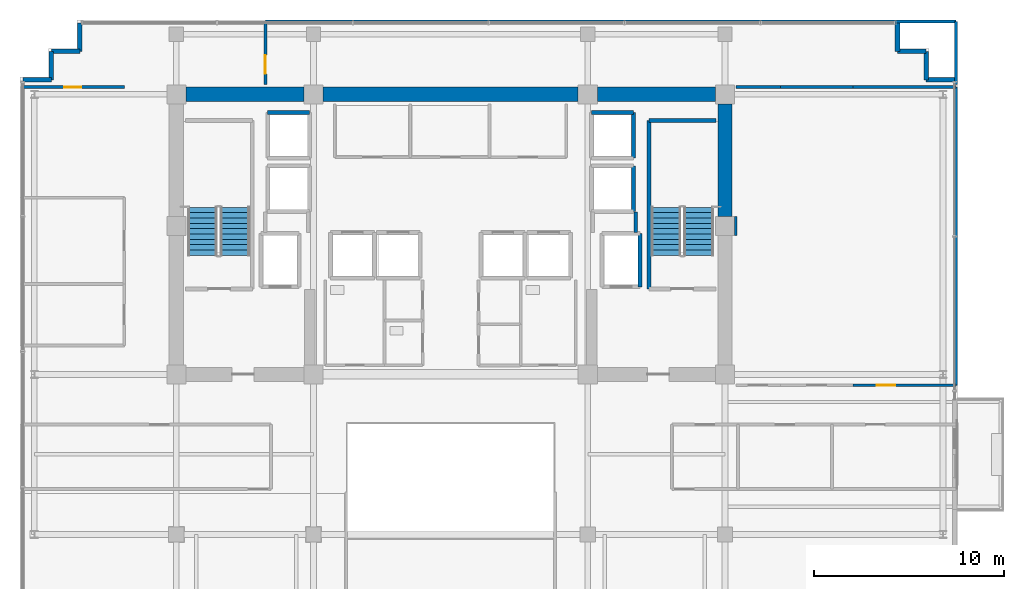
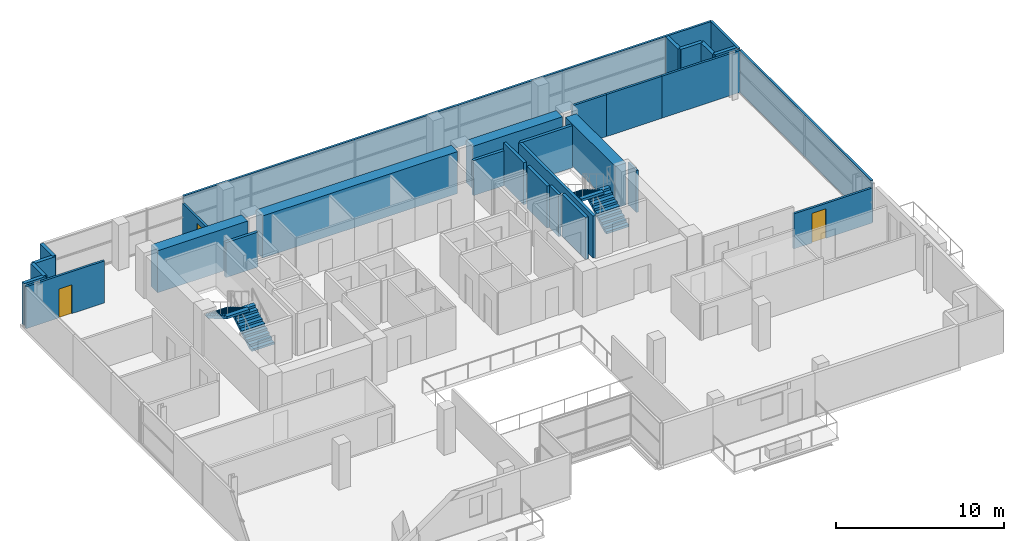
# One storey, part 18 of 22: 30 walls, 4 stair flights, 3 doors, 3 openings, 2 elements without a shape of their own.
"""IFC4 building model written with IfcOpenShell, lengths in metres."""

import ifcopenshell
import ifcopenshell.guid

model = None  # the IFC model being written
_history = None  # IfcOwnerHistory: only IFC2X3 demands one
_inside = {}  # id of a spatial element -> (the spatial element, [elements in it])
_under = {}  # id of a project, library or spatial element -> (it, [spatial elements below it])
_declared = {}  # id of a project -> (the project, [libraries it declares])
_typed = {}  # id of a type object -> (the type object, [elements of that type])
_made_of = {}  # id of a material, layer set ... -> (it, [elements and type objects made of it])


def new_model(schema):
    """Start an empty IFC model of exactly this schema.

    Asked for "IFC4X3", IfcOpenShell would pick the latest addendum, in which some entities
    have other attributes; the version numbers below select the first issue.
    IFC2X3 requires an IfcOwnerHistory on every rooted entity: one is made here for all.
    """
    global model, _history
    if schema == "IFC4X3":
        model = ifcopenshell.file(schema_version=(4, 3, 0, 0))
    else:
        model = ifcopenshell.file(schema=schema)
    _inside.clear()
    _under.clear()
    _declared.clear()
    _typed.clear()
    _made_of.clear()
    _history = None
    if model.schema == "IFC2X3":
        org = make("IfcOrganization", Name="unknown")
        user = make(
            "IfcPersonAndOrganization",
            ThePerson=make("IfcPerson", FamilyName="unknown"),
            TheOrganization=org,
        )
        app = make(
            "IfcApplication",
            ApplicationDeveloper=org,
            Version="unknown",
            ApplicationFullName="unknown",
            ApplicationIdentifier="unknown",
        )
        _history = make(
            "IfcOwnerHistory",
            OwningUser=user,
            OwningApplication=app,
            ChangeAction="ADDED",
            CreationDate=0,
        )
    return model


def make(cls, **values):
    """One entity of the class cls with the attributes given. An attribute that is None is left unset."""
    return model.create_entity(
        cls, **{name: value for name, value in values.items() if value is not None}
    )


def rooted(cls, **values):
    """An entity with a GlobalId (a new one), such as an element, a storey or a relation."""
    return make(cls, GlobalId=ifcopenshell.guid.new(), OwnerHistory=_history, **values)


def si_unit(unit_type, name, prefix=None):
    """IfcSIUnit, for example si_unit("LENGTHUNIT", "METRE", prefix="MILLI")."""
    return make("IfcSIUnit", UnitType=unit_type, Prefix=prefix, Name=name)


def assignment(units):
    """IfcUnitAssignment: the units of a project."""
    return None if units is None else make("IfcUnitAssignment", Units=units)


def point(xyz):
    """IfcCartesianPoint."""
    return None if xyz is None else make("IfcCartesianPoint", Coordinates=xyz)


def direction(xyz):
    """IfcDirection."""
    return None if xyz is None else make("IfcDirection", DirectionRatios=xyz)


def frame(location, z_axis=None, x_axis=None):
    """IfcAxis2Placement3D, a coordinate frame: its origin and axes. An axis left out is left unset."""
    return make(
        "IfcAxis2Placement3D",
        Location=point(location),
        Axis=direction(z_axis),
        RefDirection=direction(x_axis),
    )


def frame_2d(location, x_axis=None):
    """IfcAxis2Placement2D, a coordinate frame in the plane: its origin and x axis."""
    return make(
        "IfcAxis2Placement2D", Location=point(location), RefDirection=direction(x_axis)
    )


def origin():
    """The frame at (0, 0, 0) with its axes left unset."""
    return frame((0.0, 0.0, 0.0))


def place(relative_to, where):
    """IfcLocalPlacement: puts the frame where relative to a parent placement (None: the world)."""
    return make(
        "IfcLocalPlacement", PlacementRelTo=relative_to, RelativePlacement=where
    )


def context(
    kind, dimensions, precision=None, world=None, true_north=None, identifier=None
):
    """IfcGeometricRepresentationContext, for example the 3D "Model" context."""
    return make(
        "IfcGeometricRepresentationContext",
        ContextIdentifier=identifier,
        ContextType=kind,
        CoordinateSpaceDimension=dimensions,
        Precision=precision,
        WorldCoordinateSystem=world,
        TrueNorth=true_north,
    )


def subcontext(parent, identifier, kind, view, scale=None):
    """IfcGeometricRepresentationSubContext, for example "Body" below "Model"."""
    return make(
        "IfcGeometricRepresentationSubContext",
        ContextIdentifier=identifier,
        ContextType=kind,
        ParentContext=parent,
        TargetScale=scale,
        TargetView=view,
    )


def project(units=None, contexts=None):
    """IfcProject with its units and contexts."""
    return rooted(
        "IfcProject",
        Name="project",
        RepresentationContexts=contexts,
        UnitsInContext=assignment(units),
    )


def spatial(cls, under=None, at=None, **own):
    """A site, building, storey or space (cls), placed at a placement, below another one or the project."""
    s = rooted(cls, ObjectPlacement=at, **own)
    if under is not None:
        _under.setdefault(under.id(), (under, []))[1].append(s)
    return s


def polyline(points):
    """IfcPolyline through the points."""
    return make("IfcPolyline", Points=[point(p) for p in points])


def profile(cls, at=None, kind="AREA", **sizes):
    """A parametric profile (cls). Its sizes go by their IFC names, for example OverallWidth=200.0."""
    return make(cls, ProfileType=kind, Position=at, **sizes)


def rectangle(**sizes):
    """IfcRectangleProfileDef."""
    return profile("IfcRectangleProfileDef", **sizes)


def outline(outer, holes=None, kind="AREA"):
    """IfcArbitraryClosedProfileDef: a profile drawn as a closed curve; with holes, ...WithVoids."""
    if holes is None:
        return make("IfcArbitraryClosedProfileDef", ProfileType=kind, OuterCurve=outer)
    return make(
        "IfcArbitraryProfileDefWithVoids",
        ProfileType=kind,
        OuterCurve=outer,
        InnerCurves=holes,
    )


def extrude(swept, where, along, depth):
    """IfcExtrudedAreaSolid: the profile swept, set in the frame where, extruded along a direction by depth."""
    return make(
        "IfcExtrudedAreaSolid",
        SweptArea=swept,
        Position=where,
        ExtrudedDirection=direction(along),
        Depth=depth,
    )


def shape(context_of_items, identifier, shape_type, items):
    """IfcShapeRepresentation: the items that make up one representation, for example the "Body"."""
    return make(
        "IfcShapeRepresentation",
        ContextOfItems=context_of_items,
        RepresentationIdentifier=identifier,
        RepresentationType=shape_type,
        Items=items,
    )


def source(mapping_origin, context_of_items, identifier, shape_type, items):
    """IfcRepresentationMap: a shape defined once, which mapped items show again and again."""
    return make(
        "IfcRepresentationMap",
        MappingOrigin=mapping_origin,
        MappedRepresentation=shape(context_of_items, identifier, shape_type, items),
    )


def transform(
    local_origin,
    x_axis=None,
    y_axis=None,
    z_axis=None,
    scale=None,
    scale2=None,
    scale3=None,
    uniform=True,
):
    """IfcCartesianTransformationOperator3D, or its non-uniform kind. x_axis, y_axis, z_axis: its Axis1, 2, 3."""
    if uniform:
        return make(
            "IfcCartesianTransformationOperator3D",
            Axis1=direction(x_axis),
            Axis2=direction(y_axis),
            LocalOrigin=point(local_origin),
            Scale=scale,
            Axis3=direction(z_axis),
        )
    return make(
        "IfcCartesianTransformationOperator3DnonUniform",
        Axis1=direction(x_axis),
        Axis2=direction(y_axis),
        LocalOrigin=point(local_origin),
        Scale=scale,
        Axis3=direction(z_axis),
        Scale2=scale2,
        Scale3=scale3,
    )


def mapped(mapping_source, mapping_target):
    """IfcMappedItem: shows the shape of a source again, moved by a transform."""
    return make(
        "IfcMappedItem", MappingSource=mapping_source, MappingTarget=mapping_target
    )


def material(Name=None, Category=None):
    """IfcMaterial."""
    return make("IfcMaterial", Name=Name, Category=Category)


def layer(
    of_material, thickness, ventilated=None, Name=None, Category=None, Priority=None
):
    """IfcMaterialLayer: one layer of a wall or slab, of a material (None: an air gap)."""
    return make(
        "IfcMaterialLayer",
        Material=of_material,
        LayerThickness=thickness,
        IsVentilated=ventilated,
        Name=Name,
        Category=Category,
        Priority=Priority,
    )


def layer_set(layers, Name=None):
    """IfcMaterialLayerSet."""
    return make("IfcMaterialLayerSet", MaterialLayers=layers, LayerSetName=Name)


def made_of(thing, what):
    """Note that an element or type object is made of a material, layer set ...; save() writes the relation."""
    if what is not None:
        _made_of.setdefault(what.id(), (what, []))[1].append(thing)
    return thing


def type_object(cls, material=None, **own):
    """A type object (cls), such as IfcWallType, which elements share."""
    return made_of(rooted(cls, **own), material)


def element(
    cls,
    number,
    at=None,
    inside=None,
    cuts=None,
    type_object=None,
    material=None,
    context=None,
    identifier="Body",
    shape_type=None,
    held_by="IfcProductDefinitionShape",
    body=None,
    shapes=None,
    **own,
):
    """One element of the class cls, such as IfcWall. Its Tag is "e" and its number.

    at: its placement. inside: the storey or other place that contains it. cuts: it is an
    opening in that element (IfcRelVoidsElement). A single representation is given by context,
    identifier, shape_type and body (its items); several are given by shapes. held_by: the class
    of the entity that holds the representations. save() writes the other relations.
    """
    e = rooted(cls, Tag="e%d" % number, ObjectPlacement=at, **own)
    if body is not None:
        shapes = [shape(context, identifier, shape_type, body)]
    if shapes is not None:
        e.Representation = make(held_by, Representations=shapes)
    if inside is not None:
        _inside.setdefault(inside.id(), (inside, []))[1].append(e)
    if cuts is not None:
        rooted(
            "IfcRelVoidsElement", RelatingBuildingElement=cuts, RelatedOpeningElement=e
        )
    if type_object is not None:
        _typed.setdefault(type_object.id(), (type_object, []))[1].append(e)
    return made_of(e, material)


def fill(opening, filler):
    """IfcRelFillsElement: the door or window that sits in an opening."""
    return rooted(
        "IfcRelFillsElement",
        RelatingOpeningElement=opening,
        RelatedBuildingElement=filler,
    )


def aggregate(whole, parts):
    """IfcRelAggregates: a whole, such as a stair, and the parts it consists of."""
    return rooted("IfcRelAggregates", RelatingObject=whole, RelatedObjects=parts)


def save(model, path):
    """Write the relations noted so far, then the file.

    IfcRelAggregates (storeys below a building ...), IfcRelContainedInSpatialStructure (elements
    in a storey), IfcRelDefinesByType, IfcRelAssociatesMaterial and IfcRelDeclares: one each for
    every whole, place, type object, material and project.
    """
    for whole, parts in _under.values():
        aggregate(whole, parts)
    for where, things in _inside.values():
        rooted(
            "IfcRelContainedInSpatialStructure",
            RelatedElements=things,
            RelatingStructure=where,
        )
    for kind, things in _typed.values():
        rooted("IfcRelDefinesByType", RelatedObjects=things, RelatingType=kind)
    for what, things in _made_of.values():
        rooted("IfcRelAssociatesMaterial", RelatedObjects=things, RelatingMaterial=what)
    for by, libraries in _declared.values():
        rooted("IfcRelDeclares", RelatingContext=by, RelatedDefinitions=libraries)
    model.write(path)


model = new_model("IFC4")

# Units and contexts
model_context = context("Model", 3, precision=1e-05, world=origin(), true_north=direction((0.0, 1.0)))
body_context = subcontext(model_context, "Body", "Model", "MODEL_VIEW")
ifc_project = project(units=[si_unit("LENGTHUNIT", "METRE"), si_unit("AREAUNIT", "SQUARE_METRE"), si_unit("VOLUMEUNIT", "CUBIC_METRE"), si_unit("PLANEANGLEUNIT", "RADIAN"), si_unit("MASSUNIT", "GRAM", prefix="KILO")], contexts=[model_context])

# Site, building, storey
site_placement = place(None, origin())
site = spatial("IfcSite", under=ifc_project, at=site_placement, CompositionType="ELEMENT")
building_placement = place(site_placement, origin())
building = spatial("IfcBuilding", under=site, at=building_placement, Name="Zarnakvel Exchange Tower", CompositionType="ELEMENT")
storey_placement = place(building_placement, frame((0.0, 0.0, 195.699951171875)))
storey = spatial("IfcBuildingStorey", under=building, at=storey_placement, Name="L55", CompositionType="ELEMENT", Elevation=195.699951171875)

# Walls
ifc_material_1 = material(Name="Concrete C60/75", Category="concrete")
ifc_layer_1 = layer(ifc_material_1, 0.75)
ifc_layer_set_1 = layer_set([ifc_layer_1], Name="Concrete C60/75")
wall_type_1 = type_object("IfcWallType", Name="CW-C3", PredefinedType="SHEAR", material=ifc_layer_set_1)
wall_1_placement = place(storey_placement, frame((-13.89990234375, 13.5, 0.0), z_axis=(0.0, 0.0, 1.0), x_axis=(1.0, 0.0, 0.0)))
element("IfcWall", 1, at=wall_1_placement, inside=storey, type_object=wall_type_1, Name="L55 Rear Core Shear Wall N1 (CW-C3)", PredefinedType="SHEAR", context=body_context, shape_type="SweptSolid", body=[
    extrude(rectangle(XDim=6.199951171875, YDim=0.75, at=frame_2d((3.10009765625, 0.0))), origin(), (0.0, 0.0, 1.0), 3.050048828125),
])
wall_2_placement = place(storey_placement, frame((-6.699951171875, 13.5, 0.0), z_axis=(0.0, 0.0, 1.0), x_axis=(1.0, 0.0, 0.0)))
element("IfcWall", 2, at=wall_2_placement, inside=storey, type_object=wall_type_1, Name="L55 Rear Core Shear Wall N2 (CW-C3)", PredefinedType="SHEAR", context=body_context, shape_type="SweptSolid", body=[
    extrude(rectangle(XDim=13.39990234375, YDim=0.75, at=frame_2d((6.699951171875, 0.0))), origin(), (0.0, 0.0, 1.0), 3.050048828125),
])
wall_3_placement = place(storey_placement, frame((7.699951171875, 13.5, 0.0), z_axis=(0.0, 0.0, 1.0), x_axis=(1.0, 0.0, 0.0)))
element("IfcWall", 3, at=wall_3_placement, inside=storey, type_object=wall_type_1, Name="L55 Rear Core Shear Wall N3 (CW-C3)", PredefinedType="SHEAR", context=body_context, shape_type="SweptSolid", body=[
    extrude(rectangle(XDim=6.199951171875, YDim=0.75, at=frame_2d((3.10009765625, 0.0))), origin(), (0.0, 0.0, 1.0), 3.050048828125),
])
wall_4_placement = place(storey_placement, frame((14.39990234375, 7.10009765625, 0.0), z_axis=(0.0, 0.0, 1.0), x_axis=(0.0, 1.0, 0.0)))
element("IfcWall", 4, at=wall_4_placement, inside=storey, type_object=wall_type_1, Name="L55 Rear Core Shear Wall E2 (CW-C3)", PredefinedType="SHEAR", context=body_context, shape_type="SweptSolid", body=[
    extrude(rectangle(XDim=5.89990234375, YDim=0.75, at=frame_2d((2.949951171875, 0.0))), origin(), (0.0, 0.0, 1.0), 3.050048828125),
])
ifc_material_2 = material(Name="Precast concrete C40/50", Category="concrete")
ifc_layer_2 = layer(ifc_material_2, 0.239990234375)
ifc_layer_set_2 = layer_set([ifc_layer_2], Name="Precast concrete C40/50")
wall_type_2 = type_object("IfcWallType", Name="EW-02", PredefinedType="SOLIDWALL", material=ifc_layer_set_2)
for number, where, z_axis, x_axis, name in (
    (5, (-20.9599609375, 14.260009765625, 0.0), (0.0, 0.0, 1.0), (-1.0, 0.0, 0.0), "L55 Exterior Precast Spandrel Wall EWC-L55-01 (EW-02)"),
    (6, (-20.9599609375, 15.760009765625, 0.0), (0.0, 0.0, 1.0), (0.0, -1.0, 0.0), "L55 Exterior Precast Spandrel Wall EWC-L55-02 (EW-02)"),
    (7, (-19.4599609375, 15.760009765625, 0.0), (0.0, 0.0, 1.0), (-1.0, 0.0, 0.0), "L55 Exterior Precast Spandrel Wall EWC-L55-03 (EW-02)"),
    (8, (-19.4599609375, 17.260009765625, 0.0), (0.0, 0.0, 1.0), (0.0, -1.0, 0.0), "L55 Exterior Precast Spandrel Wall EWC-L55-04 (EW-02)"),
    (9, (23.4599609375, 15.760009765625, 0.0), (0.0, 0.0, 1.0), (0.0, 1.0, 0.0), "L55 Exterior Precast Spandrel Wall EWC-L55-05 (EW-02)"),
    (10, (24.9599609375, 15.760009765625, 0.0), (0.0, 0.0, 1.0), (-1.0, 0.0, 0.0), "L55 Exterior Precast Spandrel Wall EWC-L55-06 (EW-02)"),
    (11, (24.9599609375, 14.260009765625, 0.0), (0.0, 0.0, 1.0), (0.0, 1.0, 0.0), "L55 Exterior Precast Spandrel Wall EWC-L55-07 (EW-02)"),
    (12, (26.4599609375, 14.260009765625, 0.0), (0.0, 0.0, 1.0), (-1.0, 0.0, 0.0), "L55 Exterior Precast Spandrel Wall EWC-L55-08 (EW-02)"),
):
    element("IfcWall", number, at=place(storey_placement, frame(where, z_axis=z_axis, x_axis=x_axis)), inside=storey, type_object=wall_type_2, Name=name, PredefinedType="SOLIDWALL", context=body_context, shape_type="SweptSolid", body=[
        extrude(rectangle(XDim=1.5, YDim=0.239990234375, at=frame_2d((0.75, 0.0))), origin(), (0.0, 0.0, 1.0), 3.050048828125),
    ])

# Wall, opening, door
ifc_material_3 = material(Name="Fire-Rated Gypsum Stud Partition", Category="gypsum")
ifc_layer_3 = layer(ifc_material_3, 0.14990234375)
ifc_layer_set_3 = layer_set([ifc_layer_3], Name="Fire-Rated Gypsum Stud Partition")
wall_type_3 = type_object("IfcWallType", Name="PT-01", PredefinedType="PARTITIONING", material=ifc_layer_set_3)
wall_5_placement = place(storey_placement, frame((-22.530029296875, 13.8798828125, 0.0), z_axis=(0.0, 0.0, 1.0), x_axis=(1.0, 0.0, 0.0)))
wall_5 = element("IfcWall", 13, at=wall_5_placement, inside=storey, type_object=wall_type_3, Name="L55 Partition Wall PWALL-L55-060 (PT-01)", PredefinedType="PARTITIONING", context=body_context, shape_type="SweptSolid", body=[
    extrude(rectangle(XDim=5.400146484375, YDim=0.14990234375, at=frame_2d((2.7001953125, 0.0))), origin(), (0.0, 0.0, 1.0), 3.050048828125),
])
opening_1_placement = place(wall_5_placement, frame((2.260009765625, 0.0, 0.0)))
opening_1 = element("IfcOpeningElement", 14, at=opening_1_placement, cuts=wall_5, Name="Opening D-L55-26", PredefinedType="OPENING", context=body_context, shape_type="SweptSolid", body=[
    extrude(rectangle(XDim=0.8798828125, YDim=2.10009765625, at=frame_2d((0.43994140625, 1.050048828125))), frame((0.0, 0.0849609375, 0.0), z_axis=(0.0, -1.0, 0.0), x_axis=(1.0, 0.0, 0.0)), (0.0, 0.0, 1.0), 0.169921875),
])
ifc_material_4 = material(Name="Painted Galvanised Steel S355", Category="steel")
door_type_1 = type_object("IfcDoorType", Name="DT-08", OperationType="NOTDEFINED", PredefinedType="DOOR", material=ifc_material_4)
shared_shape_1 = source(origin(), body_context, "Body", "SweptSolid", [
    extrude(rectangle(XDim=0.8798828125, YDim=2.10009765625, at=frame_2d((0.43994140625, 1.050048828125))), frame((0.0, 0.02490234375, 0.0), z_axis=(0.0, -1.0, 0.0), x_axis=(1.0, 0.0, 0.0)), (0.0, 0.0, 1.0), 0.050048828125),
])
door_1_placement = place(opening_1_placement, origin())
door_1 = element("IfcDoor", 15, at=door_1_placement, inside=storey, type_object=door_type_1, Name="L55 Client Advisory Suite Door D-L55-26", OperationType="SINGLE_SWING_LEFT", OverallHeight=2.10009765625, OverallWidth=0.8798828125, PredefinedType="DOOR", context=body_context, shape_type="MappedRepresentation", body=[
    mapped(shared_shape_1, transform((0.0, 0.0, 0.0), x_axis=(1.0, 0.0, 0.0), y_axis=(0.0, 1.0, 0.0), z_axis=(0.0, 0.0, 1.0), scale=1.0)),
])
fill(opening_1, door_1)

# Walls
wall_6_placement = place(storey_placement, frame((14.969970703125, 13.8798828125, 0.0), z_axis=(0.0, 0.0, 1.0), x_axis=(1.0, 0.0, 0.0)))
element("IfcWall", 16, at=wall_6_placement, inside=storey, type_object=wall_type_3, Name="L55 Partition Wall PWALL-L55-063 (PT-01)", PredefinedType="PARTITIONING", context=body_context, shape_type="SweptSolid", body=[
    extrude(rectangle(XDim=2.346923828125, YDim=0.14990234375, at=frame_2d((1.17333984375, 0.0))), origin(), (0.0, 0.0, 1.0), 3.050048828125),
])
wall_7_placement = place(storey_placement, frame((14.969970703125, 6.10009765625, 0.0), z_axis=(0.0, 0.0, 1.0), x_axis=(0.0, 1.0, 0.0)))
element("IfcWall", 17, at=wall_7_placement, inside=storey, type_object=wall_type_3, Name="L55 Partition Wall PWALL-L55-064 (PT-01)", PredefinedType="PARTITIONING", context=body_context, shape_type="SweptSolid", body=[
    extrude(rectangle(XDim=1.0, YDim=0.14990234375, at=frame_2d((0.5, 0.0))), origin(), (0.0, 0.0, 1.0), 3.050048828125),
])
wall_8_placement = place(storey_placement, frame((17.31689453125, 13.8798828125, 0.0), z_axis=(0.0, 0.0, 1.0), x_axis=(1.0, 0.0, 0.0)))
element("IfcWall", 18, at=wall_8_placement, inside=storey, type_object=wall_type_3, Name="L55 Partition Wall PWALL-L55-066 (PT-01)", PredefinedType="PARTITIONING", context=body_context, shape_type="SweptSolid", body=[
    extrude(rectangle(XDim=3.8046875, YDim=0.14990234375, at=frame_2d((1.90234375, 0.0))), origin(), (0.0, 0.0, 1.0), 3.050048828125),
])

# Wall, opening, door
wall_9_placement = place(storey_placement, frame((26.530029296875, -1.77001953125, 0.0), z_axis=(0.0, 0.0, 1.0), x_axis=(-1.0, 0.0, 0.0)))
wall_9 = element("IfcWall", 19, at=wall_9_placement, inside=storey, type_object=wall_type_3, Name="L55 Partition Wall PWALL-L55-067 (PT-01)", PredefinedType="PARTITIONING", context=body_context, shape_type="SweptSolid", body=[
    extrude(rectangle(XDim=5.408447265625, YDim=0.14990234375, at=frame_2d((2.7041015625, 0.0))), origin(), (0.0, 0.0, 1.0), 2.5400390625),
])
opening_2_placement = place(wall_9_placement, frame((3.18896484375, 0.0, 0.0)))
opening_2 = element("IfcOpeningElement", 20, at=opening_2_placement, cuts=wall_9, Name="Opening D-L55-24", PredefinedType="OPENING", context=body_context, shape_type="SweptSolid", body=[
    extrude(rectangle(XDim=0.97998046875, YDim=2.14990234375, at=frame_2d((0.489990234375, 1.074951171875))), frame((0.0, 0.0849609375, 0.0), z_axis=(0.0, -1.0, 0.0), x_axis=(1.0, 0.0, 0.0)), (0.0, 0.0, 1.0), 0.169921875),
])
ifc_material_5 = material(Name="Timber Acoustic Veneer", Category="wood")
door_type_2 = type_object("IfcDoorType", Name="DT-05", OperationType="NOTDEFINED", PredefinedType="DOOR", material=ifc_material_5)
shared_shape_2 = source(origin(), body_context, "Body", "SweptSolid", [
    extrude(rectangle(XDim=0.97998046875, YDim=2.14990234375, at=frame_2d((0.489990234375, 1.074951171875))), frame((0.0, 0.02490234375, 0.0), z_axis=(0.0, -1.0, 0.0), x_axis=(1.0, 0.0, 0.0)), (0.0, 0.0, 1.0), 0.050048828125),
])
door_2_placement = place(opening_2_placement, origin())
door_2 = element("IfcDoor", 21, at=door_2_placement, inside=storey, type_object=door_type_2, Name="L55 Client Advisory Suite Door D-L55-24", OperationType="SINGLE_SWING_LEFT", OverallHeight=2.14990234375, OverallWidth=0.97998046875, PredefinedType="DOOR", context=body_context, shape_type="MappedRepresentation", body=[
    mapped(shared_shape_2, transform((0.0, 0.0, 0.0), x_axis=(1.0, 0.0, 0.0), y_axis=(0.0, 1.0, 0.0), z_axis=(0.0, 0.0, 1.0), scale=1.0)),
])
fill(opening_2, door_2)

# Walls
wall_10_placement = place(storey_placement, frame((21.12158203125, 13.8798828125, 0.0), z_axis=(0.0, 0.0, 1.0), x_axis=(1.0, 0.0, 0.0)))
element("IfcWall", 22, at=wall_10_placement, inside=storey, type_object=wall_type_3, Name="L55 Partition Wall PWALL-L55-068 (PT-01)", PredefinedType="PARTITIONING", context=body_context, shape_type="SweptSolid", body=[
    extrude(rectangle(XDim=5.408447265625, YDim=0.14990234375, at=frame_2d((2.7041015625, 0.0))), origin(), (0.0, 0.0, 1.0), 3.050048828125),
])
wall_11_placement = place(storey_placement, frame((26.530029296875, 13.8798828125, 0.0), z_axis=(0.0, 0.0, 1.0), x_axis=(0.0, -1.0, 0.0)))
element("IfcWall", 23, at=wall_11_placement, inside=storey, type_object=wall_type_3, Name="L55 Partition Wall PWALL-L55-069 (PT-01)", PredefinedType="PARTITIONING", context=body_context, shape_type="SweptSolid", body=[
    extrude(rectangle(XDim=15.64990234375, YDim=0.14990234375, at=frame_2d((7.824951171875, 0.0))), origin(), (0.0, 0.0, 1.0), 3.050048828125),
])
wall_12_placement = place(storey_placement, frame((-9.719970703125, 17.330078125, 0.0), z_axis=(0.0, 0.0, 1.0), x_axis=(1.0, 0.0, 0.0)))
element("IfcWall", 24, at=wall_12_placement, inside=storey, type_object=wall_type_3, Name="L55 Partition Wall PWALL-L55-070 (PT-01)", PredefinedType="PARTITIONING", context=body_context, shape_type="SweptSolid", body=[
    extrude(rectangle(XDim=36.25, YDim=0.14990234375, at=frame_2d((18.125, 0.0))), origin(), (0.0, 0.0, 1.0), 3.050048828125),
])

# Wall, opening, door
wall_13_placement = place(storey_placement, frame((-9.719970703125, 14.030029296875, 0.0), z_axis=(0.0, 0.0, 1.0), x_axis=(0.0, 1.0, 0.0)))
wall_13 = element("IfcWall", 25, at=wall_13_placement, inside=storey, type_object=wall_type_3, Name="L55 Partition Wall PWALL-L55-071 (PT-01)", PredefinedType="PARTITIONING", context=body_context, shape_type="SweptSolid", body=[
    extrude(rectangle(XDim=3.300048828125, YDim=0.14990234375, at=frame_2d((1.64990234375, 0.0))), origin(), (0.0, 0.0, 1.0), 2.5400390625),
])
opening_3_placement = place(wall_13_placement, frame((0.550048828125, 0.0, 0.0)))
opening_3 = element("IfcOpeningElement", 26, at=opening_3_placement, cuts=wall_13, Name="Opening D-L55-25", PredefinedType="OPENING", context=body_context, shape_type="SweptSolid", body=[
    extrude(rectangle(XDim=0.97998046875, YDim=2.14990234375, at=frame_2d((0.489990234375, 1.074951171875))), frame((0.0, 0.0849609375, 0.0), z_axis=(0.0, -1.0, 0.0), x_axis=(1.0, 0.0, 0.0)), (0.0, 0.0, 1.0), 0.169921875),
])
door_3_placement = place(opening_3_placement, origin())
door_3 = element("IfcDoor", 27, at=door_3_placement, inside=storey, type_object=door_type_2, Name="L55 Legal Records Office Door D-L55-25", OperationType="SINGLE_SWING_RIGHT", OverallHeight=2.14990234375, OverallWidth=0.97998046875, PredefinedType="DOOR", context=body_context, shape_type="MappedRepresentation", body=[
    mapped(shared_shape_2, transform((0.0, 0.0, 0.0), x_axis=(1.0, 0.0, 0.0), y_axis=(0.0, 1.0, 0.0), z_axis=(0.0, 0.0, 1.0), scale=1.0)),
])
fill(opening_3, door_3)

# Walls
wall_14_placement = place(storey_placement, frame((26.530029296875, 17.330078125, 0.0), z_axis=(0.0, 0.0, 1.0), x_axis=(0.0, -1.0, 0.0)))
element("IfcWall", 28, at=wall_14_placement, inside=storey, type_object=wall_type_3, Name="L55 Partition Wall PWALL-L55-072 (PT-01)", PredefinedType="PARTITIONING", context=body_context, shape_type="SweptSolid", body=[
    extrude(rectangle(XDim=3.300048828125, YDim=0.14990234375, at=frame_2d((1.64990234375, 0.0))), origin(), (0.0, 0.0, 1.0), 3.050048828125),
])
ifc_layer_4 = layer(ifc_material_3, 0.179931640625)
ifc_layer_set_4 = layer_set([ifc_layer_4], Name="Fire-Rated Gypsum Stud Partition")
wall_type_4 = type_object("IfcWallType", Name="PT-02", PredefinedType="PARTITIONING", material=ifc_layer_set_4)
wall_15_placement = place(storey_placement, frame((9.72998046875, 7.330078125, 0.0), z_axis=(0.0, 0.0, 1.0), x_axis=(0.0, -1.0, 0.0)))
element("IfcWall", 29, at=wall_15_placement, inside=storey, type_object=wall_type_4, Name="L55 Partition Wall PWALL-L55-010 (PT-02)", PredefinedType="PARTITIONING", context=body_context, shape_type="SweptSolid", body=[
    extrude(rectangle(XDim=1.090087890625, YDim=0.179931640625, at=frame_2d((0.544921875, 0.0))), origin(), (0.0, 0.0, 1.0), 3.050048828125),
])
ifc_material_6 = material(Name="Concrete C40/50", Category="concrete")
ifc_layer_5 = layer(ifc_material_6, 0.199951171875)
ifc_layer_set_5 = layer_set([ifc_layer_5], Name="Concrete C40/50")
wall_type_5 = type_object("IfcWallType", Name="SW-01", PredefinedType="SOLIDWALL", material=ifc_layer_set_5)
wall_16_placement = place(storey_placement, frame((9.949951171875, 6.199951171875, 0.0), z_axis=(0.0, 0.0, 1.0), x_axis=(0.0, -1.0, 0.0)))
element("IfcWall", 30, at=wall_16_placement, inside=storey, type_object=wall_type_5, Name="L55 FL-02 Hoistway Wall East", PredefinedType="SOLIDWALL", context=body_context, shape_type="SweptSolid", body=[
    extrude(rectangle(XDim=2.800048828125, YDim=0.199951171875, at=frame_2d((1.39990234375, 0.0))), origin(), (0.0, 0.0, 1.0), 3.050048828125),
])
wall_17_placement = place(storey_placement, frame((-9.60009765625, 12.550048828125, 0.0), z_axis=(0.0, 0.0, 1.0), x_axis=(1.0, 0.0, 0.0)))
element("IfcWall", 31, at=wall_17_placement, inside=storey, type_object=wall_type_5, Name="L55 PL-10 Hoistway Wall North", PredefinedType="SOLIDWALL", context=body_context, shape_type="SweptSolid", body=[
    extrude(rectangle(XDim=2.2001953125, YDim=0.199951171875, at=frame_2d((1.10009765625, 0.0))), origin(), (0.0, 0.0, 1.0), 2.5400390625),
])
wall_18_placement = place(storey_placement, frame((9.60009765625, 9.75, 0.0), z_axis=(0.0, 0.0, 1.0), x_axis=(0.0, -1.0, 0.0)))
element("IfcWall", 32, at=wall_18_placement, inside=storey, type_object=wall_type_5, Name="L55 PL-11 Hoistway Wall East", PredefinedType="SOLIDWALL", context=body_context, shape_type="SweptSolid", body=[
    extrude(rectangle(XDim=2.39990234375, YDim=0.199951171875, at=frame_2d((1.199951171875, 0.0))), origin(), (0.0, 0.0, 1.0), 3.050048828125),
])
wall_19_placement = place(storey_placement, frame((7.39990234375, 12.550048828125, 0.0), z_axis=(0.0, 0.0, 1.0), x_axis=(1.0, 0.0, 0.0)))
element("IfcWall", 33, at=wall_19_placement, inside=storey, type_object=wall_type_5, Name="L55 PL-12 Hoistway Wall North", PredefinedType="SOLIDWALL", context=body_context, shape_type="SweptSolid", body=[
    extrude(rectangle(XDim=2.2001953125, YDim=0.199951171875, at=frame_2d((1.10009765625, 0.0))), origin(), (0.0, 0.0, 1.0), 2.5400390625),
])
wall_20_placement = place(storey_placement, frame((9.60009765625, 12.550048828125, 0.0), z_axis=(0.0, 0.0, 1.0), x_axis=(0.0, -1.0, 0.0)))
element("IfcWall", 34, at=wall_20_placement, inside=storey, type_object=wall_type_5, Name="L55 PL-12 Hoistway Wall East", PredefinedType="SOLIDWALL", context=body_context, shape_type="SweptSolid", body=[
    extrude(rectangle(XDim=2.400146484375, YDim=0.199951171875, at=frame_2d((1.2001953125, 0.0))), origin(), (0.0, 0.0, 1.0), 3.050048828125),
])
ifc_layer_6 = layer(ifc_material_6, 0.199951171875)
ifc_layer_set_6 = layer_set([ifc_layer_6], Name="Concrete C40/50")
wall_type_6 = type_object("IfcWallType", Name="SW-02", PredefinedType="SOLIDWALL", material=ifc_layer_set_6)
wall_21_placement = place(storey_placement, frame((10.409912109375, 12.1298828125, 0.0), z_axis=(0.0, 0.0, 1.0), x_axis=(1.0, 0.0, 0.0)))
element("IfcWall", 35, at=wall_21_placement, inside=storey, type_object=wall_type_6, Name="L55 Stairwell Core Wall PWALL-L55-005 (SW-02)", PredefinedType="SOLIDWALL", context=body_context, shape_type="SweptSolid", body=[
    extrude(rectangle(XDim=3.52001953125, YDim=0.199951171875, at=frame_2d((1.760009765625, 0.0))), origin(), (0.0, 0.0, 1.0), 3.050048828125),
])
wall_22_placement = place(storey_placement, frame((10.409912109375, 3.2900390625, 0.0), z_axis=(0.0, 0.0, 1.0), x_axis=(0.0, 1.0, 0.0)))
element("IfcWall", 36, at=wall_22_placement, inside=storey, type_object=wall_type_6, Name="L55 Stairwell Core Wall PWALL-L55-006 (SW-02)", PredefinedType="SOLIDWALL", context=body_context, shape_type="SweptSolid", body=[
    extrude(rectangle(XDim=8.83984375, YDim=0.199951171875, at=frame_2d((4.419921875, 0.0))), origin(), (0.0, 0.0, 1.0), 3.050048828125),
])

# Stair, stair flights
stair_type = type_object("IfcStairType", Name="STR-01", PredefinedType="HALF_TURN_STAIR", material=ifc_material_6)
stair_1_placement = place(storey_placement, origin())
stair_1 = element("IfcStair", 37, at=stair_1_placement, inside=storey, type_object=stair_type, Name="L55 Protected Core Exit Stair ST-01", PredefinedType="HALF_TURN_STAIR")
stair_flight_type = type_object("IfcStairFlightType", Name="FLT-01", PredefinedType="STRAIGHT", material=ifc_material_6)
stair_flight_1_placement = place(storey_placement, frame((-11.31494140625, 5.050048828125, 0.0), z_axis=(0.0, 0.0, 1.0), x_axis=(0.0, 1.0, 0.0)))
stair_flight_1 = element("IfcStairFlight", 38, at=stair_flight_1_placement, type_object=stair_flight_type, Name="ST-01 flight 1", NumberOfRisers=10, NumberOfTreads=9, PredefinedType="STRAIGHT", RiserHeight=0.165, TreadLength=0.28, context=body_context, shape_type="SweptSolid", body=[
    extrude(outline(polyline([(0.0, 0.0), (0.0, 0.1650390625), (0.280029296875, 0.1650390625), (0.280029296875, 0.330078125), (0.56005859375, 0.330078125), (0.56005859375, 0.4951171875), (0.840087890625, 0.4951171875), (0.840087890625, 0.659912109375), (1.1201171875, 0.659912109375), (1.1201171875, 0.824951171875), (1.39990234375, 0.824951171875), (1.39990234375, 0.989990234375), (1.679931640625, 0.989990234375), (1.679931640625, 1.155029296875), (1.9599609375, 1.155029296875), (1.9599609375, 1.320068359375), (2.239990234375, 1.320068359375), (2.239990234375, 1.485107421875), (2.52001953125, 1.485107421875), (2.52001953125, 1.64990234375), (2.52001953125, 1.31103515625), (0.295166015625, 0.0), (0.0, 0.0)])), frame((0.0, 0.77490234375, 0.0), z_axis=(0.0, -1.0, 0.0), x_axis=(1.0, 0.0, 0.0)), (0.0, 0.0, 1.0), 1.550048828125),
])
stair_flight_2_placement = place(storey_placement, frame((-13.02490234375, 7.570068359375, 1.650146484375), z_axis=(0.0, 0.0, 1.0), x_axis=(0.0, -1.0, 0.0)))
stair_flight_2 = element("IfcStairFlight", 39, at=stair_flight_2_placement, type_object=stair_flight_type, Name="ST-01 flight 2", NumberOfRisers=10, NumberOfTreads=9, PredefinedType="STRAIGHT", RiserHeight=0.165, TreadLength=0.28, context=body_context, shape_type="SweptSolid", body=[
    extrude(outline(polyline([(0.0, 0.0), (0.0, 0.1650390625), (0.280029296875, 0.1650390625), (0.280029296875, 0.330078125), (0.56005859375, 0.330078125), (0.56005859375, 0.4951171875), (0.840087890625, 0.4951171875), (0.840087890625, 0.659912109375), (1.1201171875, 0.659912109375), (1.1201171875, 0.824951171875), (1.39990234375, 0.824951171875), (1.39990234375, 0.989990234375), (1.679931640625, 0.989990234375), (1.679931640625, 1.155029296875), (1.9599609375, 1.155029296875), (1.9599609375, 1.320068359375), (2.239990234375, 1.320068359375), (2.239990234375, 1.485107421875), (2.52001953125, 1.485107421875), (2.52001953125, 1.64990234375), (2.52001953125, 1.31103515625), (0.295166015625, 0.0), (0.0, 0.0)])), frame((0.0, 0.77490234375, 0.0), z_axis=(0.0, -1.0, 0.0), x_axis=(1.0, 0.0, 0.0)), (0.0, 0.0, 1.0), 1.550048828125),
])
aggregate(stair_1, [stair_flight_1, stair_flight_2])

stair_2_placement = place(storey_placement, origin())
stair_2 = element("IfcStair", 40, at=stair_2_placement, inside=storey, type_object=stair_type, Name="L55 Protected Core Exit Stair ST-02", PredefinedType="HALF_TURN_STAIR")
stair_flight_3_placement = place(storey_placement, frame((13.02490234375, 5.050048828125, 0.0), z_axis=(0.0, 0.0, 1.0), x_axis=(0.0, 1.0, 0.0)))
stair_flight_3 = element("IfcStairFlight", 41, at=stair_flight_3_placement, type_object=stair_flight_type, Name="ST-02 flight 1", NumberOfRisers=10, NumberOfTreads=9, PredefinedType="STRAIGHT", RiserHeight=0.165, TreadLength=0.28, context=body_context, shape_type="SweptSolid", body=[
    extrude(outline(polyline([(0.0, 0.0), (0.0, 0.1650390625), (0.280029296875, 0.1650390625), (0.280029296875, 0.330078125), (0.56005859375, 0.330078125), (0.56005859375, 0.4951171875), (0.840087890625, 0.4951171875), (0.840087890625, 0.659912109375), (1.1201171875, 0.659912109375), (1.1201171875, 0.824951171875), (1.39990234375, 0.824951171875), (1.39990234375, 0.989990234375), (1.679931640625, 0.989990234375), (1.679931640625, 1.155029296875), (1.9599609375, 1.155029296875), (1.9599609375, 1.320068359375), (2.239990234375, 1.320068359375), (2.239990234375, 1.485107421875), (2.52001953125, 1.485107421875), (2.52001953125, 1.64990234375), (2.52001953125, 1.31103515625), (0.295166015625, 0.0), (0.0, 0.0)])), frame((0.0, 0.77490234375, 0.0), z_axis=(0.0, -1.0, 0.0), x_axis=(1.0, 0.0, 0.0)), (0.0, 0.0, 1.0), 1.550048828125),
])
stair_flight_4_placement = place(storey_placement, frame((11.31494140625, 7.570068359375, 1.650146484375), z_axis=(0.0, 0.0, 1.0), x_axis=(0.0, -1.0, 0.0)))
stair_flight_4 = element("IfcStairFlight", 42, at=stair_flight_4_placement, type_object=stair_flight_type, Name="ST-02 flight 2", NumberOfRisers=10, NumberOfTreads=9, PredefinedType="STRAIGHT", RiserHeight=0.165, TreadLength=0.28, context=body_context, shape_type="SweptSolid", body=[
    extrude(outline(polyline([(0.0, 0.0), (0.0, 0.1650390625), (0.280029296875, 0.1650390625), (0.280029296875, 0.330078125), (0.56005859375, 0.330078125), (0.56005859375, 0.4951171875), (0.840087890625, 0.4951171875), (0.840087890625, 0.659912109375), (1.1201171875, 0.659912109375), (1.1201171875, 0.824951171875), (1.39990234375, 0.824951171875), (1.39990234375, 0.989990234375), (1.679931640625, 0.989990234375), (1.679931640625, 1.155029296875), (1.9599609375, 1.155029296875), (1.9599609375, 1.320068359375), (2.239990234375, 1.320068359375), (2.239990234375, 1.485107421875), (2.52001953125, 1.485107421875), (2.52001953125, 1.64990234375), (2.52001953125, 1.31103515625), (0.295166015625, 0.0), (0.0, 0.0)])), frame((0.0, 0.77490234375, 0.0), z_axis=(0.0, -1.0, 0.0), x_axis=(1.0, 0.0, 0.0)), (0.0, 0.0, 1.0), 1.550048828125),
])
aggregate(stair_2, [stair_flight_3, stair_flight_4])

save(model, "model.ifc")
